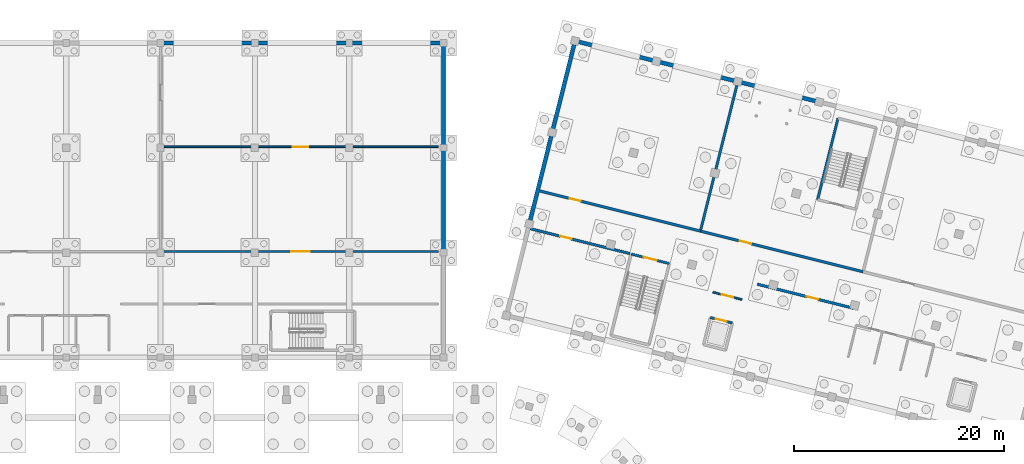
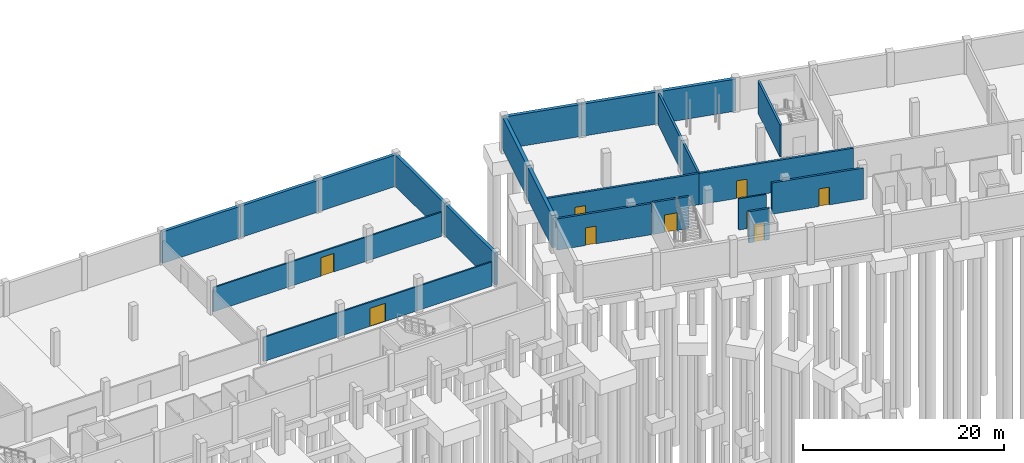
# One storey, part 23 of 36: 21 walls, 9 doors, 9 openings.
"""IFC4 building model written with IfcOpenShell, lengths in metres."""

from ifc_helpers import new_model, si_unit, derived_unit, direction, frame, frame_2d, origin, place, context, subcontext, project, spatial, rectangle, extrude, material, layer, layer_set, type_object, element, fill, save


model = new_model("IFC4")

# Units and contexts
model_context = context("Model", 3, precision=1e-05, world=origin(), true_north=direction((0.0, 1.0)))
body_context = subcontext(model_context, "Body", "Model", "MODEL_VIEW")
ifc_project = project(units=[si_unit("LENGTHUNIT", "METRE"), si_unit("AREAUNIT", "SQUARE_METRE"), si_unit("VOLUMEUNIT", "CUBIC_METRE"), si_unit("PLANEANGLEUNIT", "RADIAN"), si_unit("MASSUNIT", "GRAM", prefix="KILO"), si_unit("THERMODYNAMICTEMPERATUREUNIT", "KELVIN"), si_unit("TIMEUNIT", "SECOND"), derived_unit("THERMALTRANSMITTANCEUNIT", [(si_unit("MASSUNIT", "GRAM", prefix="KILO"), 1), (si_unit("THERMODYNAMICTEMPERATUREUNIT", "KELVIN"), -1), (si_unit("TIMEUNIT", "SECOND"), -3)])], contexts=[model_context])

# Site, building, storey
site_placement = place(None, origin())
site = spatial("IfcSite", under=ifc_project, at=site_placement, CompositionType="ELEMENT")
building_placement = place(site_placement, origin())
building = spatial("IfcBuilding", under=site, at=building_placement, Name="Cambertide Market Hall", CompositionType="ELEMENT")
storey_placement = place(building_placement, frame((0.0, 0.0, -4.199951171875)))
storey = spatial("IfcBuildingStorey", under=building, at=storey_placement, Name="B1", CompositionType="ELEMENT", Elevation=-4.199951171875)

# Walls
ifc_material_1 = material(Name="Concrete B35", Category="concrete")
ifc_layer_1 = layer(ifc_material_1, 0.35009765625, Name="Basement Retaining Wall 350")
ifc_layer_set_1 = layer_set([ifc_layer_1], Name="Concrete B35")
wall_type_1 = type_object("IfcWallType", Name="Basement Retaining Wall 350", PredefinedType="SOLIDWALL", material=ifc_layer_set_1)
for number, where, z_axis, x_axis, name in (
    (1, (75.0, 126.0, 0.0), (0.0, 0.0, 1.0), (1.0, 0.0, 0.0), "Basement 1 Exterior Wall EW-B1-V2N-8"),
    (2, (84.0, 126.0, 0.0), (0.0, 0.0, 1.0), (1.0, 0.0, 0.0), "Basement 1 Exterior Wall EW-B1-V2N-9"),
    (3, (93.0, 126.0, 0.0), (0.0, 0.0, 1.0), (1.0, 0.0, 0.0), "Basement 1 Exterior Wall EW-B1-V2N-10"),
):
    element("IfcWall", number, at=place(storey_placement, frame(where, z_axis=z_axis, x_axis=x_axis)), inside=storey, type_object=wall_type_1, Name=name, PredefinedType="SOLIDWALL", context=body_context, shape_type="SweptSolid", body=[
        extrude(rectangle(XDim=9.0, YDim=0.35009765625, at=frame_2d((4.5, 0.0))), origin(), (0.0, 0.0, 1.0), 3.83984375),
    ])
for number, where, z_axis, x_axis, name in (
    (4, (102.0, 116.0, 0.0), (0.0, 0.0, 1.0), (0.0, -1.0, 0.0), "Basement 1 Exterior Wall EW-B1-V2E-2"),
    (5, (102.0, 126.0, 0.0), (0.0, 0.0, 1.0), (0.0, -1.0, 0.0), "Basement 1 Exterior Wall EW-B1-V2E-3"),
):
    element("IfcWall", number, at=place(storey_placement, frame(where, z_axis=z_axis, x_axis=x_axis)), inside=storey, type_object=wall_type_1, Name=name, PredefinedType="SOLIDWALL", context=body_context, shape_type="SweptSolid", body=[
        extrude(rectangle(XDim=10.0, YDim=0.35009765625, at=frame_2d((5.0, 0.0))), origin(), (0.0, 0.0, 1.0), 3.83984375),
    ])

# Wall, opening, door
ifc_material_2 = material(Name="Polyurethane Insulated Stainless Sandwich Panel", Category="metal")
ifc_layer_2 = layer(ifc_material_2, 0.179931640625, Name="Cold-Store Insulated Sandwich Wall 180")
ifc_layer_set_2 = layer_set([ifc_layer_2], Name="Polyurethane Insulated Stainless Sandwich Panel")
wall_type_2 = type_object("IfcWallType", Name="Cold-Store Insulated Sandwich Wall 180", PredefinedType="PARTITIONING", material=ifc_layer_set_2)
wall_1_placement = place(storey_placement, frame((75.199951171875, 106.10009765625, 0.0), z_axis=(0.0, 0.0, 1.0), x_axis=(1.0, 0.0, 0.0)))
wall_1 = element("IfcWall", 6, at=wall_1_placement, inside=storey, type_object=wall_type_2, Name="Basement 1 Interior Wall IW-B1-CS-N3", PredefinedType="PARTITIONING", context=body_context, shape_type="SweptSolid", body=[
    extrude(rectangle(XDim=26.300048828125, YDim=0.179931640625, at=frame_2d((13.14990234375, 0.0))), origin(), (0.0, 0.0, 1.0), 2.93994140625),
])
opening_1_placement = place(wall_1_placement, frame((12.25, 0.0, 0.0)))
opening_1 = element("IfcOpeningElement", 7, at=opening_1_placement, cuts=wall_1, Name="Opening FD-02", PredefinedType="OPENING", context=body_context, shape_type="SweptSolid", body=[
    extrude(rectangle(XDim=1.800048828125, YDim=2.199951171875, at=frame_2d((0.89990234375, 1.10009765625))), frame((0.0, 0.099853515625, 0.0), z_axis=(0.0, -1.0, 0.0), x_axis=(1.0, 0.0, 0.0)), (0.0, 0.0, 1.0), 0.199951171875),
])
ifc_material_3 = material(Name="Powder-Coated Galvanized Sheet Metal", Category="metal")
door_type_1 = type_object("IfcDoorType", Name="Compartment Double Fire Door 1800x2200", OperationType="DOUBLE_DOOR_SINGLE_SWING", PredefinedType="DOOR", material=ifc_material_3)
door_1_placement = place(opening_1_placement, origin())
door_1 = element("IfcDoor", 8, at=door_1_placement, inside=storey, type_object=door_type_1, Name="Basement 1 Door IW-B1-CS-N3-DR1", OperationType="DOUBLE_DOOR_SINGLE_SWING", OverallHeight=2.199951171875, OverallWidth=1.800048828125, PredefinedType="DOOR", context=body_context, shape_type="SweptSolid", body=[
    extrude(rectangle(XDim=1.800048828125, YDim=2.199951171875, at=frame_2d((0.89990234375, 1.10009765625))), frame((0.0, 0.02490234375, 0.0), z_axis=(0.0, -1.0, 0.0), x_axis=(1.0, 0.0, 0.0)), (0.0, 0.0, 1.0), 0.050048828125),
])
fill(opening_1, door_1)

wall_2_placement = place(storey_placement, frame((75.199951171875, 116.10009765625, 0.0), z_axis=(0.0, 0.0, 1.0), x_axis=(1.0, 0.0, 0.0)))
wall_2 = element("IfcWall", 9, at=wall_2_placement, inside=storey, type_object=wall_type_2, Name="Basement 1 Interior Wall IW-B1-ICE-S", PredefinedType="PARTITIONING", context=body_context, shape_type="SweptSolid", body=[
    extrude(rectangle(XDim=26.300048828125, YDim=0.179931640625, at=frame_2d((13.14990234375, 0.0))), origin(), (0.0, 0.0, 1.0), 2.93994140625),
])
opening_2_placement = place(wall_2_placement, frame((12.39990234375, 0.0, 0.0)))
opening_2 = element("IfcOpeningElement", 10, at=opening_2_placement, cuts=wall_2, Name="Opening CD-01", PredefinedType="OPENING", context=body_context, shape_type="SweptSolid", body=[
    extrude(rectangle(XDim=1.5, YDim=2.25, at=frame_2d((0.75, 1.125))), frame((0.0, 0.099853515625, 0.0), z_axis=(0.0, -1.0, 0.0), x_axis=(1.0, 0.0, 0.0)), (0.0, 0.0, 1.0), 0.199951171875),
])
ifc_material_4 = material(Name="Polyurethane Insulated Stainless Sandwich Panel", Category="metal")
door_type_2 = type_object("IfcDoorType", Name="Cold-Store Insulated Sliding Door 1500x2250", OperationType="SLIDING_TO_LEFT", PredefinedType="DOOR", material=ifc_material_4)
door_2_placement = place(opening_2_placement, origin())
door_2 = element("IfcDoor", 11, at=door_2_placement, inside=storey, type_object=door_type_2, Name="Basement 1 Door IW-B1-ICE-S-DR1", OperationType="SLIDING_TO_LEFT", OverallHeight=2.25, OverallWidth=1.5, PredefinedType="DOOR", context=body_context, shape_type="SweptSolid", body=[
    extrude(rectangle(XDim=1.5, YDim=2.25, at=frame_2d((0.75, 1.125))), frame((0.0, 0.02490234375, 0.0), z_axis=(0.0, -1.0, 0.0), x_axis=(1.0, 0.0, 0.0)), (0.0, 0.0, 1.0), 0.050048828125),
])
fill(opening_2, door_2)

ifc_material_5 = material(Name="Concrete B35", Category="concrete")
ifc_layer_3 = layer(ifc_material_5, 0.25, Name="Compartment Fire Wall 250")
ifc_layer_set_3 = layer_set([ifc_layer_3], Name="Concrete B35")
wall_type_3 = type_object("IfcWallType", Name="Compartment Fire Wall 250", PredefinedType="SOLIDWALL", material=ifc_layer_set_3)
wall_3_placement = place(storey_placement, frame((111.16748046875, 111.88671875, 0.0), z_axis=(0.0, 0.0, 1.0), x_axis=(0.970142500145, -0.242535625036, 0.0)))
wall_3 = element("IfcWall", 12, at=wall_3_placement, inside=storey, type_object=wall_type_3, Name="Basement 1 Interior Wall IW-B1-V4P-1", PredefinedType="SOLIDWALL", context=body_context, shape_type="SweptSolid", body=[
    extrude(rectangle(XDim=15.809814453125, YDim=0.25, at=frame_2d((7.90478515625, 0.0))), origin(), (0.0, 0.0, 1.0), 3.800048828125),
])
opening_3_placement = place(wall_3_placement, frame((2.94189453125, 0.0, 0.0)))
opening_3 = element("IfcOpeningElement", 13, at=opening_3_placement, cuts=wall_3, Name="Opening FD-03", PredefinedType="OPENING", context=body_context, shape_type="SweptSolid", body=[
    extrude(rectangle(XDim=1.10009765625, YDim=2.14990234375, at=frame_2d((0.550048828125, 1.074951171875))), frame((0.0, 0.135009765625, 0.0), z_axis=(0.0, -1.0, 0.0), x_axis=(1.0, 0.0, 0.0)), (0.0, 0.0, 1.0), 0.27001953125),
])
ifc_material_6 = material(Name="Powder-Coated Galvanized Sheet Metal", Category="metal")
door_type_3 = type_object("IfcDoorType", Name="Plant & Cistern Fire Door 1100x2150", OperationType="NOTDEFINED", PredefinedType="DOOR", material=ifc_material_6)
door_3_placement = place(opening_3_placement, origin())
door_3 = element("IfcDoor", 14, at=door_3_placement, inside=storey, type_object=door_type_3, Name="Basement 1 Door IW-B1-V4P-1-DR1", OperationType="SINGLE_SWING_RIGHT", OverallHeight=2.14990234375, OverallWidth=1.10009765625, PredefinedType="DOOR", context=body_context, shape_type="SweptSolid", body=[
    extrude(rectangle(XDim=1.10009765625, YDim=2.14990234375, at=frame_2d((0.550048828125, 1.074951171875))), frame((0.0, 0.02490234375, 0.0), z_axis=(0.0, -1.0, 0.0), x_axis=(1.0, 0.0, 0.0)), (0.0, 0.0, 1.0), 0.050048828125),
])
fill(opening_3, door_3)

wall_4_placement = place(storey_placement, frame((126.50537109375, 108.05224609375, 0.0), z_axis=(0.0, 0.0, 1.0), x_axis=(0.970142500145, -0.242535625036, 0.0)))
wall_4 = element("IfcWall", 15, at=wall_4_placement, inside=storey, type_object=wall_type_3, Name="Basement 1 Interior Wall IW-B1-V4P-2", PredefinedType="SOLIDWALL", context=body_context, shape_type="SweptSolid", body=[
    extrude(rectangle(XDim=16.000244140625, YDim=0.25, at=frame_2d((8.0, 0.0))), origin(), (0.0, 0.0, 1.0), 3.800048828125),
])
opening_4_placement = place(wall_4_placement, frame((3.8740234375, 0.0, 0.0)))
opening_4 = element("IfcOpeningElement", 16, at=opening_4_placement, cuts=wall_4, Name="Opening FD-03", PredefinedType="OPENING", context=body_context, shape_type="SweptSolid", body=[
    extrude(rectangle(XDim=1.10009765625, YDim=2.14990234375, at=frame_2d((0.550048828125, 1.074951171875))), frame((0.0, 0.135009765625, 0.0), z_axis=(0.0, -1.0, 0.0), x_axis=(1.0, 0.0, 0.0)), (0.0, 0.0, 1.0), 0.27001953125),
])
door_4_placement = place(opening_4_placement, origin())
door_4 = element("IfcDoor", 17, at=door_4_placement, inside=storey, type_object=door_type_3, Name="Basement 1 Door IW-B1-V4P-2-DR1", OperationType="SINGLE_SWING_LEFT", OverallHeight=2.14990234375, OverallWidth=1.10009765625, PredefinedType="DOOR", context=body_context, shape_type="SweptSolid", body=[
    extrude(rectangle(XDim=1.10009765625, YDim=2.14990234375, at=frame_2d((0.550048828125, 1.074951171875))), frame((0.0, 0.02490234375, 0.0), z_axis=(0.0, -1.0, 0.0), x_axis=(1.0, 0.0, 0.0)), (0.0, 0.0, 1.0), 0.050048828125),
])
fill(opening_4, door_4)

# Wall
wall_5_placement = place(storey_placement, frame((126.535888671875, 108.17333984375, 0.0), z_axis=(0.0, 0.0, 1.0), x_axis=(0.242523488831, 0.970145534116, 0.0)))
element("IfcWall", 18, at=wall_5_placement, inside=storey, type_object=wall_type_3, Name="Basement 1 Interior Wall IW-B1-V4PDIV-16", PredefinedType="SOLIDWALL", context=body_context, shape_type="SweptSolid", body=[
    extrude(rectangle(XDim=14.199951171875, YDim=0.25, at=frame_2d((7.10009765625, 0.0))), origin(), (0.0, 0.0, 1.0), 3.800048828125),
])

# Wall, opening, door
wall_6_placement = place(storey_placement, frame((110.267822265625, 108.287353515625, 0.0), z_axis=(0.0, 0.0, 1.0), x_axis=(0.970145427958, -0.242523913484, 0.0)))
wall_6 = element("IfcWall", 19, at=wall_6_placement, inside=storey, type_object=wall_type_3, Name="Basement 1 Interior Wall IW-B1-V4SWBD", PredefinedType="SOLIDWALL", context=body_context, shape_type="SweptSolid", body=[
    extrude(rectangle(XDim=9.81005859375, YDim=0.25, at=frame_2d((4.905029296875, 0.0))), origin(), (0.0, 0.0, 1.0), 3.800048828125),
])
opening_5_placement = place(wall_6_placement, frame((2.96142578125, 0.0, 0.0)))
opening_5 = element("IfcOpeningElement", 20, at=opening_5_placement, cuts=wall_6, Name="Opening FD-03", PredefinedType="OPENING", context=body_context, shape_type="SweptSolid", body=[
    extrude(rectangle(XDim=1.10009765625, YDim=2.14990234375, at=frame_2d((0.550048828125, 1.074951171875))), frame((0.0, 0.135009765625, 0.0), z_axis=(0.0, -1.0, 0.0), x_axis=(1.0, 0.0, 0.0)), (0.0, 0.0, 1.0), 0.27001953125),
])
door_5_placement = place(opening_5_placement, origin())
door_5 = element("IfcDoor", 21, at=door_5_placement, inside=storey, type_object=door_type_3, Name="Basement 1 Door IW-B1-V4SWBD-DR1", OperationType="SINGLE_SWING_RIGHT", OverallHeight=2.14990234375, OverallWidth=1.10009765625, PredefinedType="DOOR", context=body_context, shape_type="SweptSolid", body=[
    extrude(rectangle(XDim=1.10009765625, YDim=2.14990234375, at=frame_2d((0.550048828125, 1.074951171875))), frame((0.0, 0.02490234375, 0.0), z_axis=(0.0, -1.0, 0.0), x_axis=(1.0, 0.0, 0.0)), (0.0, 0.0, 1.0), 0.050048828125),
])
fill(opening_5, door_5)

wall_7_placement = place(storey_placement, frame((131.938232421875, 102.983154296875, 0.0), z_axis=(0.0, 0.0, 1.0), x_axis=(0.970145523508, -0.242523531267, 0.0)))
wall_7 = element("IfcWall", 22, at=wall_7_placement, inside=storey, type_object=wall_type_3, Name="Basement 1 Interior Wall IW-B1-V4ST1", PredefinedType="SOLIDWALL", context=body_context, shape_type="SweptSolid", body=[
    extrude(rectangle(XDim=9.5, YDim=0.25, at=frame_2d((4.75, 0.0))), origin(), (0.0, 0.0, 1.0), 3.800048828125),
])
opening_6_placement = place(wall_7_placement, frame((4.8720703125, 0.0, 0.0)))
opening_6 = element("IfcOpeningElement", 23, at=opening_6_placement, cuts=wall_7, Name="Opening FD-03", PredefinedType="OPENING", context=body_context, shape_type="SweptSolid", body=[
    extrude(rectangle(XDim=1.10009765625, YDim=2.14990234375, at=frame_2d((0.550048828125, 1.074951171875))), frame((0.0, 0.135009765625, 0.0), z_axis=(0.0, -1.0, 0.0), x_axis=(1.0, 0.0, 0.0)), (0.0, 0.0, 1.0), 0.27001953125),
])
door_6_placement = place(opening_6_placement, origin())
door_6 = element("IfcDoor", 24, at=door_6_placement, inside=storey, type_object=door_type_3, Name="Basement 1 Door IW-B1-V4ST1-DR1", OperationType="SINGLE_SWING_LEFT", OverallHeight=2.14990234375, OverallWidth=1.10009765625, PredefinedType="DOOR", context=body_context, shape_type="SweptSolid", body=[
    extrude(rectangle(XDim=1.10009765625, YDim=2.14990234375, at=frame_2d((0.550048828125, 1.074951171875))), frame((0.0, 0.02490234375, 0.0), z_axis=(0.0, -1.0, 0.0), x_axis=(1.0, 0.0, 0.0)), (0.0, 0.0, 1.0), 0.050048828125),
])
fill(opening_6, door_6)

# Walls
ifc_material_7 = material(Name="Concrete B35", Category="concrete")
ifc_layer_4 = layer(ifc_material_7, 0.3798828125, Name="Heavy Cistern Retaining Wall 380")
ifc_layer_set_4 = layer_set([ifc_layer_4], Name="Concrete B35")
wall_type_4 = type_object("IfcWallType", Name="Heavy Cistern Retaining Wall 380", PredefinedType="SOLIDWALL", material=ifc_layer_set_4)
wall_8_placement = place(storey_placement, frame((114.548583984375, 126.19384765625, 0.0), z_axis=(0.0, 0.0, 1.0), x_axis=(0.970144295309, -0.242528444268, 0.0)))
element("IfcWall", 25, at=wall_8_placement, inside=storey, type_object=wall_type_4, Name="Basement 1 Exterior Wall EW-B1-V4N-1", PredefinedType="SOLIDWALL", context=body_context, shape_type="SweptSolid", body=[
    extrude(rectangle(XDim=7.999755859375, YDim=0.3798828125, at=frame_2d((4.0, 0.0))), origin(), (0.0, 0.0, 1.0), 3.89990234375),
])
wall_9_placement = place(storey_placement, frame((122.3095703125, 124.253662109375, 0.0), z_axis=(0.0, 0.0, 1.0), x_axis=(0.970138909791, -0.242549986002, 0.0)))
element("IfcWall", 26, at=wall_9_placement, inside=storey, type_object=wall_type_4, Name="Basement 1 Exterior Wall EW-B1-V4N-2", PredefinedType="SOLIDWALL", context=body_context, shape_type="SweptSolid", body=[
    extrude(rectangle(XDim=8.000244140625, YDim=0.3798828125, at=frame_2d((4.0, 0.0))), origin(), (0.0, 0.0, 1.0), 3.89990234375),
])
wall_10_placement = place(storey_placement, frame((130.07080078125, 122.313232421875, 0.0), z_axis=(0.0, 0.0, 1.0), x_axis=(0.970144295309, -0.242528444268, 0.0)))
element("IfcWall", 27, at=wall_10_placement, inside=storey, type_object=wall_type_4, Name="Basement 1 Exterior Wall EW-B1-V4N-3", PredefinedType="SOLIDWALL", context=body_context, shape_type="SweptSolid", body=[
    extrude(rectangle(XDim=7.999755859375, YDim=0.3798828125, at=frame_2d((4.0, 0.0))), origin(), (0.0, 0.0, 1.0), 3.89990234375),
])
wall_11_placement = place(storey_placement, frame((110.182861328125, 108.731201171875, 0.0), z_axis=(0.0, 0.0, 1.0), x_axis=(0.242535625036, 0.970142500145, 0.0)))
element("IfcWall", 28, at=wall_11_placement, inside=storey, type_object=wall_type_4, Name="Basement 1 Exterior Wall EW-B1-V4W-2", PredefinedType="SOLIDWALL", context=body_context, shape_type="SweptSolid", body=[
    extrude(rectangle(XDim=9.000244140625, YDim=0.3798828125, at=frame_2d((4.5, 0.0))), origin(), (0.0, 0.0, 1.0), 3.89990234375),
])
wall_12_placement = place(storey_placement, frame((112.36572265625, 117.462646484375, 0.0), z_axis=(0.0, 0.0, 1.0), x_axis=(0.242542007841, 0.970140904422, 0.0)))
element("IfcWall", 29, at=wall_12_placement, inside=storey, type_object=wall_type_4, Name="Basement 1 Exterior Wall EW-B1-V4W-3", PredefinedType="SOLIDWALL", context=body_context, shape_type="SweptSolid", body=[
    extrude(rectangle(XDim=9.0, YDim=0.3798828125, at=frame_2d((4.5, 0.0))), origin(), (0.0, 0.0, 1.0), 3.89990234375),
])

# Wall, opening, door
ifc_material_8 = material(Name="Autoclaved Aerated Concrete Blockwork M7.5", Category="masonry")
ifc_layer_5 = layer(ifc_material_8, 0.169921875, Name="Lift Lobby Fire Partition 170")
ifc_layer_set_5 = layer_set([ifc_layer_5], Name="Autoclaved Aerated Concrete Blockwork M7.5")
wall_type_5 = type_object("IfcWallType", Name="Lift Lobby Fire Partition 170", PredefinedType="PARTITIONING", material=ifc_layer_set_5)
wall_13_placement = place(storey_placement, frame((127.6962890625, 102.21923828125, 0.0), z_axis=(0.0, 0.0, 1.0), x_axis=(0.970127434573, -0.242595879372, 0.0)))
wall_13 = element("IfcWall", 30, at=wall_13_placement, inside=storey, type_object=wall_type_5, Name="Basement 1 Interior Wall LLW-LP-03-B1", PredefinedType="PARTITIONING", context=body_context, shape_type="SweptSolid", body=[
    extrude(rectangle(XDim=2.860107421875, YDim=0.169921875, at=frame_2d((1.43017578125, 0.0))), origin(), (0.0, 0.0, 1.0), 3.800048828125),
])
opening_7_placement = place(wall_13_placement, frame((0.85498046875, 0.0, 0.0)))
opening_7 = element("IfcOpeningElement", 31, at=opening_7_placement, cuts=wall_13, Name="Opening KD-02", PredefinedType="OPENING", context=body_context, shape_type="SweptSolid", body=[
    extrude(rectangle(XDim=1.14990234375, YDim=2.14990234375, at=frame_2d((0.574951171875, 1.074951171875))), frame((0.0, 0.094970703125, 0.0), z_axis=(0.0, -1.0, 0.0), x_axis=(1.0, 0.0, 0.0)), (0.0, 0.0, 1.0), 0.18994140625),
])
ifc_material_9 = material(Name="Stainless Steel Grade 316", Category="metal")
door_type_4 = type_object("IfcDoorType", Name="Lift Lobby Smoke-Stop Door 1150x2150", OperationType="NOTDEFINED", PredefinedType="DOOR", material=ifc_material_9)
door_7_placement = place(opening_7_placement, origin())
door_7 = element("IfcDoor", 32, at=door_7_placement, inside=storey, type_object=door_type_4, Name="Basement 1 Door LLW-LP-03-B1-DR1", OperationType="SINGLE_SWING_LEFT", OverallHeight=2.14990234375, OverallWidth=1.14990234375, PredefinedType="DOOR", context=body_context, shape_type="SweptSolid", body=[
    extrude(rectangle(XDim=1.14990234375, YDim=2.14990234375, at=frame_2d((0.574951171875, 1.074951171875))), frame((0.0, 0.02490234375, 0.0), z_axis=(0.0, -1.0, 0.0), x_axis=(1.0, 0.0, 0.0)), (0.0, 0.0, 1.0), 0.050048828125),
])
fill(opening_7, door_7)

ifc_material_10 = material(Name="Concrete B35", Category="concrete")
ifc_layer_6 = layer(ifc_material_10, 0.239990234375, Name="Stair & Lift Core Shaft Wall 240")
ifc_layer_set_6 = layer_set([ifc_layer_6], Name="Concrete B35")
wall_type_6 = type_object("IfcWallType", Name="Stair & Lift Core Shaft Wall 240", PredefinedType="SOLIDWALL", material=ifc_layer_set_6)
wall_14_placement = place(storey_placement, frame((119.90234375, 105.86328125, 0.0), z_axis=(0.0, 0.0, 1.0), x_axis=(0.970150158722, -0.242504988675, 0.0)))
wall_14 = element("IfcWall", 33, at=wall_14_placement, inside=storey, type_object=wall_type_6, Name="Basement 1 Interior Wall SHW-ST-07A-B1-NEAR", PredefinedType="SOLIDWALL", context=body_context, shape_type="SweptSolid", body=[
    extrude(rectangle(XDim=3.750244140625, YDim=0.239990234375, at=frame_2d((1.875, 0.0))), origin(), (0.0, 0.0, 1.0), 3.89990234375),
])
opening_8_placement = place(wall_14_placement, frame((1.22509765625, 0.0, 0.0)))
opening_8 = element("IfcOpeningElement", 34, at=opening_8_placement, cuts=wall_14, Name="Opening FD-01", PredefinedType="OPENING", context=body_context, shape_type="SweptSolid", body=[
    extrude(rectangle(XDim=1.300048828125, YDim=2.14990234375, at=frame_2d((0.64990234375, 1.074951171875))), frame((0.0, 0.1298828125, 0.0), z_axis=(0.0, -1.0, 0.0), x_axis=(1.0, 0.0, 0.0)), (0.0, 0.0, 1.0), 0.260009765625),
])
ifc_material_11 = material(Name="Powder-Coated Galvanized Sheet Metal", Category="metal")
door_type_5 = type_object("IfcDoorType", Name="Stair Core Fire Door 1300x2150", OperationType="NOTDEFINED", PredefinedType="DOOR", material=ifc_material_11)
door_8_placement = place(opening_8_placement, origin())
door_8 = element("IfcDoor", 35, at=door_8_placement, inside=storey, type_object=door_type_5, Name="Basement 1 Door SHW-ST-07A-B1-NEAR-DR1", OperationType="SINGLE_SWING_LEFT", OverallHeight=2.14990234375, OverallWidth=1.300048828125, PredefinedType="DOOR", context=body_context, shape_type="SweptSolid", body=[
    extrude(rectangle(XDim=1.300048828125, YDim=2.14990234375, at=frame_2d((0.64990234375, 1.074951171875))), frame((0.0, 0.02490234375, 0.0), z_axis=(0.0, -1.0, 0.0), x_axis=(1.0, 0.0, 0.0)), (0.0, 0.0, 1.0), 0.050048828125),
])
fill(opening_8, door_8)

# Wall
wall_15_placement = place(storey_placement, frame((137.6923828125, 111.0537109375, 0.0), z_axis=(0.0, 0.0, 1.0), x_axis=(0.242557167103, 0.970137114374, 0.0)))
element("IfcWall", 36, at=wall_15_placement, inside=storey, type_object=wall_type_6, Name="Basement 1 Interior Wall SHW-ST-07B-B1-R", PredefinedType="SOLIDWALL", context=body_context, shape_type="SweptSolid", body=[
    extrude(rectangle(XDim=8.0, YDim=0.239990234375, at=frame_2d((4.0, 0.0))), origin(), (0.0, 0.0, 1.0), 3.89990234375),
])

# Wall, opening, door
wall_16_placement = place(storey_placement, frame((127.453857421875, 99.805908203125, 0.0), z_axis=(0.0, 0.0, 1.0), x_axis=(0.970135850962, -0.242562220222, 0.0)))
wall_16 = element("IfcWall", 37, at=wall_16_placement, inside=storey, type_object=wall_type_6, Name="Basement 1 Interior Wall LSH-LP-03-B1-N", PredefinedType="SOLIDWALL", context=body_context, shape_type="SweptSolid", body=[
    extrude(rectangle(XDim=2.159912109375, YDim=0.239990234375, at=frame_2d((1.080078125, 0.0))), origin(), (0.0, 0.0, 1.0), 3.800048828125),
])
opening_9_placement = place(wall_16_placement, frame((0.530029296875, 0.0, 0.0)))
opening_9 = element("IfcOpeningElement", 38, at=opening_9_placement, cuts=wall_16, Name="Opening LD-01", PredefinedType="OPENING", context=body_context, shape_type="SweptSolid", body=[
    extrude(rectangle(XDim=1.10009765625, YDim=2.14990234375, at=frame_2d((0.550048828125, 1.074951171875))), frame((0.0, 0.1298828125, 0.0), z_axis=(0.0, -1.0, 0.0), x_axis=(1.0, 0.0, 0.0)), (0.0, 0.0, 1.0), 0.260009765625),
])
ifc_material_12 = material(Name="Stainless Steel Grade 316", Category="metal")
door_type_6 = type_object("IfcDoorType", Name="Passenger Lift Sliding Landing Door 1100x2150", OperationType="DOUBLE_DOOR_SLIDING", PredefinedType="DOOR", material=ifc_material_12)
door_9_placement = place(opening_9_placement, origin())
door_9 = element("IfcDoor", 39, at=door_9_placement, inside=storey, type_object=door_type_6, Name="Basement 1 Door LSH-LP-03-B1-N-DR1", OperationType="DOUBLE_DOOR_SLIDING", OverallHeight=2.14990234375, OverallWidth=1.10009765625, PredefinedType="DOOR", context=body_context, shape_type="SweptSolid", body=[
    extrude(rectangle(XDim=1.10009765625, YDim=2.14990234375, at=frame_2d((0.550048828125, 1.074951171875))), frame((0.0, 0.02490234375, 0.0), z_axis=(0.0, -1.0, 0.0), x_axis=(1.0, 0.0, 0.0)), (0.0, 0.0, 1.0), 0.050048828125),
])
fill(opening_9, door_9)

save(model, "model.ifc")
